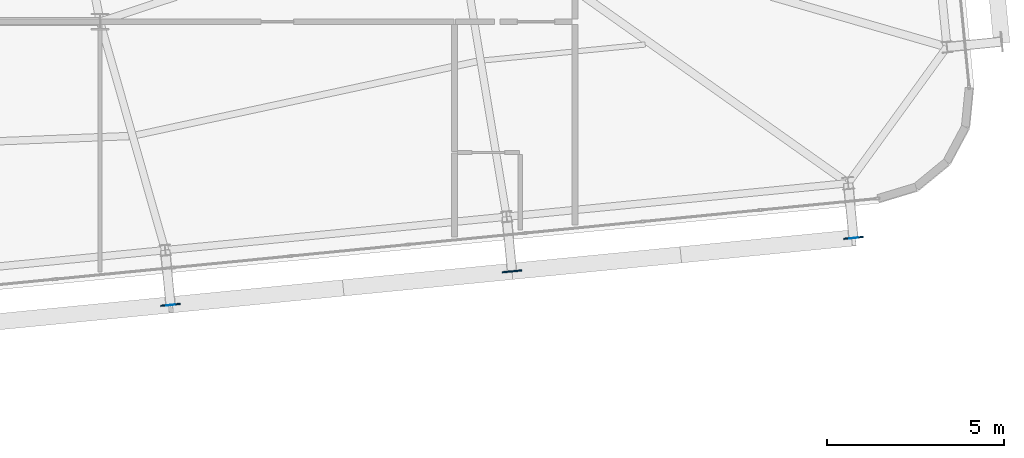
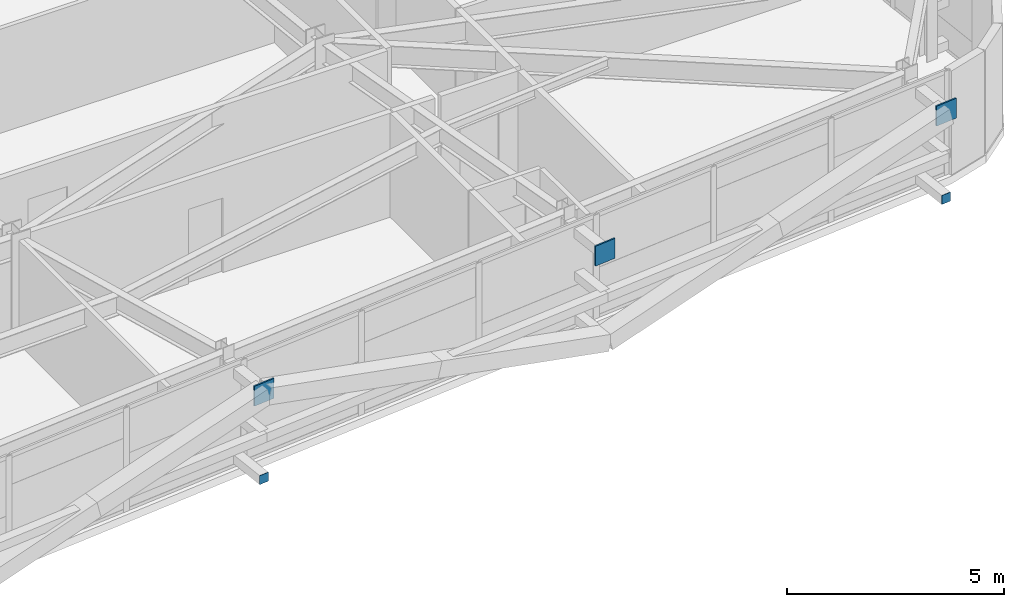
# One storey, part 41 of 52: 5 plates.
"""IFC4 building model written with IfcOpenShell, lengths in metres."""

from ifc_helpers import new_model, si_unit, direction, frame, origin, origin_2d, place, context, subcontext, project, spatial, rectangle, extrude, source, transform, mapped, material, layer, layer_set, type_object, element, save


model = new_model("IFC4")

# Units and contexts
model_context = context("Model", 3, precision=1e-05, world=origin(), true_north=direction((0.0, 1.0)))
body_context = subcontext(model_context, "Body", "Model", "MODEL_VIEW")
ifc_project = project(units=[si_unit("LENGTHUNIT", "METRE"), si_unit("AREAUNIT", "SQUARE_METRE"), si_unit("VOLUMEUNIT", "CUBIC_METRE"), si_unit("PLANEANGLEUNIT", "RADIAN"), si_unit("MASSUNIT", "GRAM", prefix="KILO")], contexts=[model_context])

# Site, building, storey
site_placement = place(None, origin())
site = spatial("IfcSite", under=ifc_project, at=site_placement, CompositionType="ELEMENT")
building_placement = place(site_placement, origin())
building = spatial("IfcBuilding", under=site, at=building_placement, Name="Taldren Reach Tower", CompositionType="ELEMENT")
storey_placement = place(building_placement, frame((0.0, 0.0, 74.550048828125)))
storey = spatial("IfcBuildingStorey", under=building, at=storey_placement, Name="L22", CompositionType="ELEMENT", Elevation=74.550048828125)

# Plates
ifc_material_1 = material(Name="Steel Gr 450 (C450L0)", Category="steel")
ifc_layer_1 = layer(ifc_material_1, 0.0400390625)
ifc_layer_set_1 = layer_set([ifc_layer_1], Name="Steel Gr 450 (C450L0)")
plate_type_1 = type_object("IfcPlateType", Name="PL-GUSSET-40", PredefinedType="SHEET", material=ifc_layer_set_1)
shared_shape_1 = source(origin(), body_context, "Body", "SweptSolid", [
    extrude(rectangle(XDim=0.56005859375, YDim=0.0400390625, at=origin_2d()), origin(), (0.0, 0.0, 1.0), 0.56005859375),
])
for number, where, z_axis, x_axis, name in (
    (1, (43.98681640625, 1.21142578125, 2.369873046875), (0.0, 0.0, 1.0), (0.995227399982, 0.097582899759, 0.0), "Exoskeleton star-node gusset plate B2-S4 L22"),
    (2, (53.62060546875, 2.156005859375, 2.369873046875), (0.0, 0.0, 1.0), (0.995227399982, 0.097582899759, 0.0), "Exoskeleton star-node gusset plate B2-S5 L22"),
    (3, (63.25439453125, 3.1005859375, 2.369873046875), (0.0, 0.0, 1.0), (0.995227399982, 0.097582899759, 0.0), "Exoskeleton star-node gusset plate B2-S6 L22"),
):
    element("IfcPlate", number, at=place(storey_placement, frame(where, z_axis=z_axis, x_axis=x_axis)), inside=storey, type_object=plate_type_1, Name=name, PredefinedType="SHEET", context=body_context, shape_type="MappedRepresentation", body=[
        mapped(shared_shape_1, transform((0.0, 0.0, 0.0), scale=1.0)),
    ])
ifc_material_2 = material(Name="Steel Gr 350 (C350L0)", Category="steel")
ifc_layer_2 = layer(ifc_material_2, 0.011962890625)
ifc_layer_set_2 = layer_set([ifc_layer_2], Name="Steel Gr 350 (C350L0)")
plate_type_2 = type_object("IfcPlateType", Name="PL-CAP-250", PredefinedType="SHEET", material=ifc_layer_set_2)
shared_shape_2 = source(origin(), body_context, "Body", "SweptSolid", [
    extrude(rectangle(XDim=0.25, YDim=0.011962890625, at=origin_2d()), origin(), (0.0, 0.0, 1.0), 0.25),
])
for number, where, z_axis, x_axis, name in (
    (4, (43.9873046875, 1.205322265625, 0.094970703125), (0.0, 0.0, 1.0), (0.995227399982, 0.097582899759, 0.0), "Tie strut end cap plate B2-S4 L22"),
    (5, (63.255126953125, 3.094482421875, 0.094970703125), (0.0, 0.0, 1.0), (0.995227399982, 0.097582899759, 0.0), "Tie strut end cap plate B2-S6 L22"),
):
    element("IfcPlate", number, at=place(storey_placement, frame(where, z_axis=z_axis, x_axis=x_axis)), inside=storey, type_object=plate_type_2, Name=name, PredefinedType="SHEET", context=body_context, shape_type="MappedRepresentation", body=[
        mapped(shared_shape_2, transform((0.0, 0.0, 0.0), scale=1.0)),
    ])

save(model, "model.ifc")
